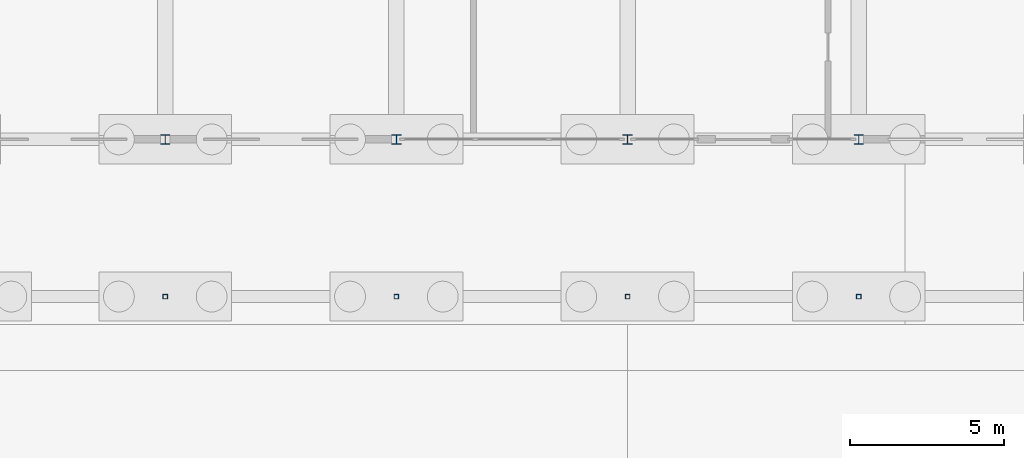
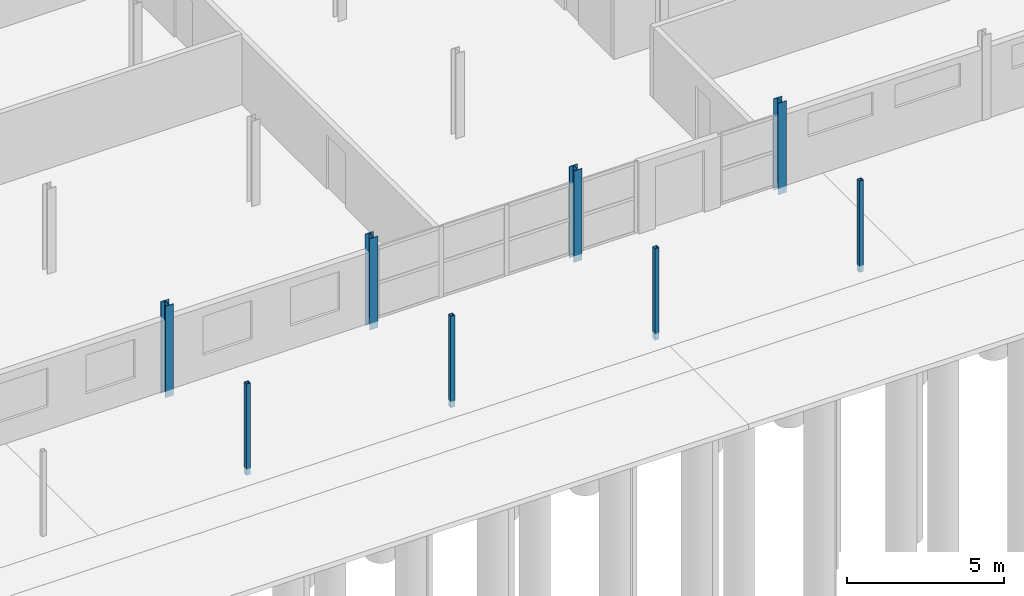
# One storey, part 16 of 130: 8 columns.
"""IFC4 building model written with IfcOpenShell, lengths in metres."""

from ifc_helpers import new_model, si_unit, direction, frame, origin, origin_2d, place, context, subcontext, project, spatial, hollow_rectangle, i_section, extrude, material, material_profile, profile_set, type_object, element, save


model = new_model("IFC4")

# Units and contexts
model_context = context("Model", 3, precision=1e-05, world=origin(), true_north=direction((0.0, 1.0)))
body_context = subcontext(model_context, "Body", "Model", "MODEL_VIEW")
ifc_project = project(units=[si_unit("LENGTHUNIT", "METRE"), si_unit("AREAUNIT", "SQUARE_METRE"), si_unit("VOLUMEUNIT", "CUBIC_METRE"), si_unit("PLANEANGLEUNIT", "RADIAN"), si_unit("MASSUNIT", "GRAM", prefix="KILO")], contexts=[model_context])

# Site, building, storey
site_placement = place(None, origin())
site = spatial("IfcSite", under=ifc_project, at=site_placement, CompositionType="ELEMENT")
building_placement = place(site_placement, origin())
building = spatial("IfcBuilding", under=site, at=building_placement, Name="Parallax Yard Mobility Hub", CompositionType="ELEMENT")
storey_placement = place(building_placement, origin())
storey = spatial("IfcBuildingStorey", under=building, at=storey_placement, Name="L00", CompositionType="ELEMENT", Elevation=0.0)

# Columns
ifc_material_1 = material(Name="Steel ASTM A500 Gr C", Category="steel")
ifc_material_profile_1 = material_profile(ifc_material_1, hollow_rectangle(XDim=0.15234375, YDim=0.15234375, WallThickness=0.009521484375, at=origin_2d()), Name="HSS152x152x9.5")
ifc_profile_set_1 = profile_set([ifc_material_profile_1], Name="Steel ASTM A500 Gr C")
column_type_1 = type_object("IfcColumnType", Name="Roof column HSS152x152x9.5", PredefinedType="COLUMN", material=ifc_profile_set_1)
for number, where, z_axis, x_axis, name in (
    (1, (105.0, 2.39990234375, -0.25), (0.0, 0.0, 1.0), (1.0, 0.0, 0.0), "Arcade column V6 2 level L00"),
    (2, (112.5, 2.39990234375, -0.25), (0.0, 0.0, 1.0), (1.0, 0.0, 0.0), "Arcade column V6 3 level L00"),
    (3, (120.0, 2.39990234375, -0.25), (0.0, 0.0, 1.0), (1.0, 0.0, 0.0), "Arcade column V6 4 level L00"),
    (4, (127.5, 2.39990234375, -0.25), (0.0, 0.0, 1.0), (1.0, 0.0, 0.0), "Arcade column V6 5 level L00"),
):
    element("IfcColumn", number, at=place(storey_placement, frame(where, z_axis=z_axis, x_axis=x_axis)), inside=storey, type_object=column_type_1, Name=name, PredefinedType="COLUMN", context=body_context, shape_type="SweptSolid", body=[
        extrude(hollow_rectangle(XDim=0.15234375, YDim=0.15234375, WallThickness=0.009521484375, at=origin_2d()), origin(), (0.0, 0.0, 1.0), 3.550048828125),
    ])
ifc_material_2 = material(Name="Steel ASTM A992", Category="steel")
ifc_material_profile_2 = material_profile(ifc_material_2, i_section(OverallWidth=0.304931640625, OverallDepth=0.306884765625, WebThickness=0.010009765625, FlangeThickness=0.015380859375, FilletRadius=0.01513671875, at=origin_2d()), Name="W310x97")
ifc_profile_set_2 = profile_set([ifc_material_profile_2], Name="Steel ASTM A992")
column_type_2 = type_object("IfcColumnType", Name="W310x97 column", PredefinedType="COLUMN", material=ifc_profile_set_2)
for number, where, z_axis, x_axis, name in (
    (5, (105.0, 7.5, -0.25), (0.0, 0.0, 1.0), (1.0, 0.0, 0.0), "Column C1 level L00 at B/15 of mobility service centre and workshops"),
    (6, (112.5, 7.5, -0.25), (0.0, 0.0, 1.0), (1.0, 0.0, 0.0), "Column C1 level L00 at B/16 of mobility service centre and workshops"),
    (7, (120.0, 7.5, -0.25), (0.0, 0.0, 1.0), (1.0, 0.0, 0.0), "Column C1 level L00 at B/17 of mobility service centre and workshops"),
    (8, (127.5, 7.5, -0.25), (0.0, 0.0, 1.0), (1.0, 0.0, 0.0), "Column C1 level L00 at B/18 of mobility service centre and workshops"),
):
    element("IfcColumn", number, at=place(storey_placement, frame(where, z_axis=z_axis, x_axis=x_axis)), inside=storey, type_object=column_type_2, Name=name, PredefinedType="COLUMN", context=body_context, shape_type="SweptSolid", body=[
        extrude(i_section(OverallWidth=0.304931640625, OverallDepth=0.306884765625, WebThickness=0.010009765625, FlangeThickness=0.015380859375, FilletRadius=0.01513671875, at=origin_2d()), origin(), (0.0, 0.0, 1.0), 3.550048828125),
    ])

save(model, "model.ifc")
